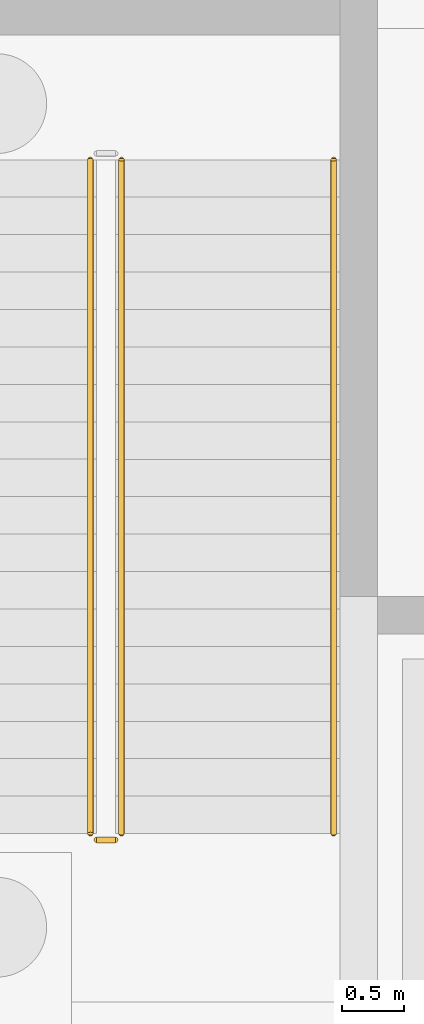
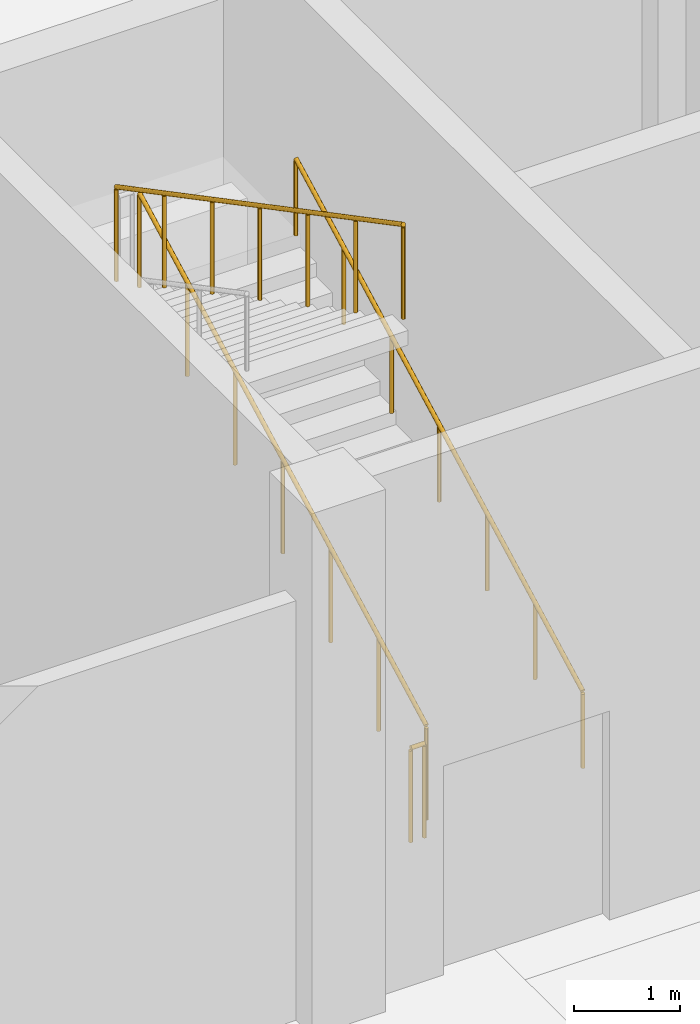
# One storey, part 162 of 198: 4 railings.
"""IFC4 building model written with IfcOpenShell, lengths in metres."""

from ifc_helpers import new_model, si_unit, direction, frame, origin, origin_2d, place, context, subcontext, project, spatial, circle, extrude, material, constituent, constituent_set, type_object, element, save


model = new_model("IFC4")

# Units and contexts
model_context = context("Model", 3, precision=1e-05, world=origin(), true_north=direction((0.0, 1.0)))
body_context = subcontext(model_context, "Body", "Model", "MODEL_VIEW")
ifc_project = project(units=[si_unit("LENGTHUNIT", "METRE"), si_unit("AREAUNIT", "SQUARE_METRE"), si_unit("VOLUMEUNIT", "CUBIC_METRE"), si_unit("PLANEANGLEUNIT", "RADIAN"), si_unit("MASSUNIT", "GRAM", prefix="KILO")], contexts=[model_context])

# Site, building, storey
site_placement = place(None, origin())
site = spatial("IfcSite", under=ifc_project, at=site_placement, CompositionType="ELEMENT")
building_placement = place(site_placement, origin())
building = spatial("IfcBuilding", under=site, at=building_placement, Name="Opaline Strait Convention Centre", CompositionType="ELEMENT")
storey_placement = place(building_placement, origin())
storey = spatial("IfcBuildingStorey", under=building, at=storey_placement, Name="L00", CompositionType="ELEMENT", Elevation=0.0)

# Railings
ifc_material_1 = material(Name="Steel Q235B", Category="steel")
ifc_constituent_1 = constituent(ifc_material_1, Name="Frame")
ifc_material_2 = material(Name="Safety glass, bonded interlayer", Category="glass")
ifc_constituent_2 = constituent(ifc_material_2, Name="Infill")
ifc_constituent_set = constituent_set(constituents=[ifc_constituent_1, ifc_constituent_2], Name="Steel Q235B, Safety glass, bonded interlayer")
railing_type_1 = type_object("IfcRailingType", Name="Stair guard 1100 steel and glass", PredefinedType="GUARDRAIL", material=ifc_constituent_set)
railing_1_placement = place(storey_placement, frame((254.199951171875, 64.949951171875, 0.157958984375)))
element("IfcRailing", 1, at=railing_1_placement, inside=storey, type_object=railing_type_1, Name="L00 XST4 stair guard 1", PredefinedType="GUARDRAIL", context=body_context, shape_type="SweptSolid", body=[
    extrude(circle(Radius=0.02392578125, at=origin_2d()), frame((0.0, 0.0, 1.076171875), z_axis=(0.0, 0.884927768474, 0.465728294806), x_axis=(-1.0, 0.0, 0.0)), (0.0, 0.0, 1.0), 6.102294921875),
    extrude(circle(Radius=0.02099609375, at=origin_2d()), origin(), (0.0, 0.0, 1.0), 1.052001953125),
    extrude(circle(Radius=0.02099609375, at=origin_2d()), frame((0.0, 0.89990234375, 0.4736328125)), (0.0, 0.0, 1.0), 1.052001953125),
    extrude(circle(Radius=0.02099609375, at=origin_2d()), frame((0.0, 1.800048828125, 0.947265625)), (0.0, 0.0, 1.0), 1.052001953125),
    extrude(circle(Radius=0.02099609375, at=origin_2d()), frame((0.0, 2.7001953125, 1.4208984375)), (0.0, 0.0, 1.0), 1.052001953125),
    extrude(circle(Radius=0.02099609375, at=origin_2d()), frame((0.0, 3.60009765625, 1.894775390625)), (0.0, 0.0, 1.0), 1.052001953125),
    extrude(circle(Radius=0.02099609375, at=origin_2d()), frame((0.0, 4.5, 2.368408203125)), (0.0, 0.0, 1.0), 1.052001953125),
    extrude(circle(Radius=0.02099609375, at=origin_2d()), frame((0.0, 5.400146484375, 2.842041015625)), (0.0, 0.0, 1.0), 1.052001953125),
])
railing_2_placement = place(storey_placement, frame((253.949951171875, 70.35009765625, 3.157958984375)))
element("IfcRailing", 2, at=railing_2_placement, inside=storey, type_object=railing_type_1, Name="L00 XST4 stair guard 3", PredefinedType="GUARDRAIL", context=body_context, shape_type="SweptSolid", body=[
    extrude(circle(Radius=0.02392578125, at=origin_2d()), frame((0.0, 0.0, 1.076171875), z_axis=(0.0, -0.884927768474, 0.465728294806), x_axis=(1.0, 0.0, 0.0)), (0.0, 0.0, 1.0), 6.102294921875),
    extrude(circle(Radius=0.02099609375, at=origin_2d()), origin(), (0.0, 0.0, 1.0), 1.052001953125),
    extrude(circle(Radius=0.02099609375, at=origin_2d()), frame((0.0, -0.89990234375, 0.4736328125)), (0.0, 0.0, 1.0), 1.052001953125),
    extrude(circle(Radius=0.02099609375, at=origin_2d()), frame((0.0, -1.800048828125, 0.947265625)), (0.0, 0.0, 1.0), 1.052001953125),
    extrude(circle(Radius=0.02099609375, at=origin_2d()), frame((0.0, -2.7001953125, 1.4208984375)), (0.0, 0.0, 1.0), 1.052001953125),
    extrude(circle(Radius=0.02099609375, at=origin_2d()), frame((0.0, -3.60009765625, 1.894775390625)), (0.0, 0.0, 1.0), 1.052001953125),
    extrude(circle(Radius=0.02099609375, at=origin_2d()), frame((0.0, -4.5, 2.368408203125)), (0.0, 0.0, 1.0), 1.052001953125),
    extrude(circle(Radius=0.02099609375, at=origin_2d()), frame((0.0, -5.400146484375, 2.842041015625)), (0.0, 0.0, 1.0), 1.052001953125),
])
railing_3_placement = place(storey_placement, frame((254.14990234375, 64.89990234375, 0.0)))
element("IfcRailing", 3, at=railing_3_placement, inside=storey, type_object=railing_type_1, Name="L00 XST4 stair guard 4", PredefinedType="GUARDRAIL", context=body_context, shape_type="SweptSolid", body=[
    extrude(circle(Radius=0.02392578125, at=origin_2d()), frame((0.0, 0.0, 1.076171875), z_axis=(-1.0, 0.0, 0.0), x_axis=(0.0, -1.0, 0.0)), (0.0, 0.0, 1.0), 0.14990234375),
    extrude(circle(Radius=0.02099609375, at=origin_2d()), origin(), (0.0, 0.0, 1.0), 1.052001953125),
    extrude(circle(Radius=0.02099609375, at=origin_2d()), frame((-0.14990234375, 0.0, 0.0)), (0.0, 0.0, 1.0), 1.052001953125),
])
ifc_material_3 = material(Name="Stainless steel 304", Category="steel")
railing_type_2 = type_object("IfcRailingType", Name="Stair handrail 900", PredefinedType="HANDRAIL", material=ifc_material_3)
railing_4_placement = place(storey_placement, frame((255.89990234375, 64.949951171875, 0.157958984375)))
element("IfcRailing", 4, at=railing_4_placement, inside=storey, type_object=railing_type_2, Name="L00 XST4 stair handrail 1", PredefinedType="HANDRAIL", context=body_context, shape_type="SweptSolid", body=[
    extrude(circle(Radius=0.02392578125, at=origin_2d()), frame((0.0, 0.0, 0.8759765625), z_axis=(0.0, 0.884927768474, 0.465728294806), x_axis=(-1.0, 0.0, 0.0)), (0.0, 0.0, 1.0), 6.102294921875),
    extrude(circle(Radius=0.02099609375, at=origin_2d()), origin(), (0.0, 0.0, 1.0), 0.851806640625),
    extrude(circle(Radius=0.02099609375, at=origin_2d()), frame((0.0, 0.89990234375, 0.4736328125)), (0.0, 0.0, 1.0), 0.851806640625),
    extrude(circle(Radius=0.02099609375, at=origin_2d()), frame((0.0, 1.800048828125, 0.947265625)), (0.0, 0.0, 1.0), 0.851806640625),
    extrude(circle(Radius=0.02099609375, at=origin_2d()), frame((0.0, 2.7001953125, 1.4208984375)), (0.0, 0.0, 1.0), 0.851806640625),
    extrude(circle(Radius=0.02099609375, at=origin_2d()), frame((0.0, 3.60009765625, 1.894775390625)), (0.0, 0.0, 1.0), 0.851806640625),
    extrude(circle(Radius=0.02099609375, at=origin_2d()), frame((0.0, 4.5, 2.368408203125)), (0.0, 0.0, 1.0), 0.851806640625),
    extrude(circle(Radius=0.02099609375, at=origin_2d()), frame((0.0, 5.400146484375, 2.842041015625)), (0.0, 0.0, 1.0), 0.851806640625),
])

save(model, "model.ifc")
